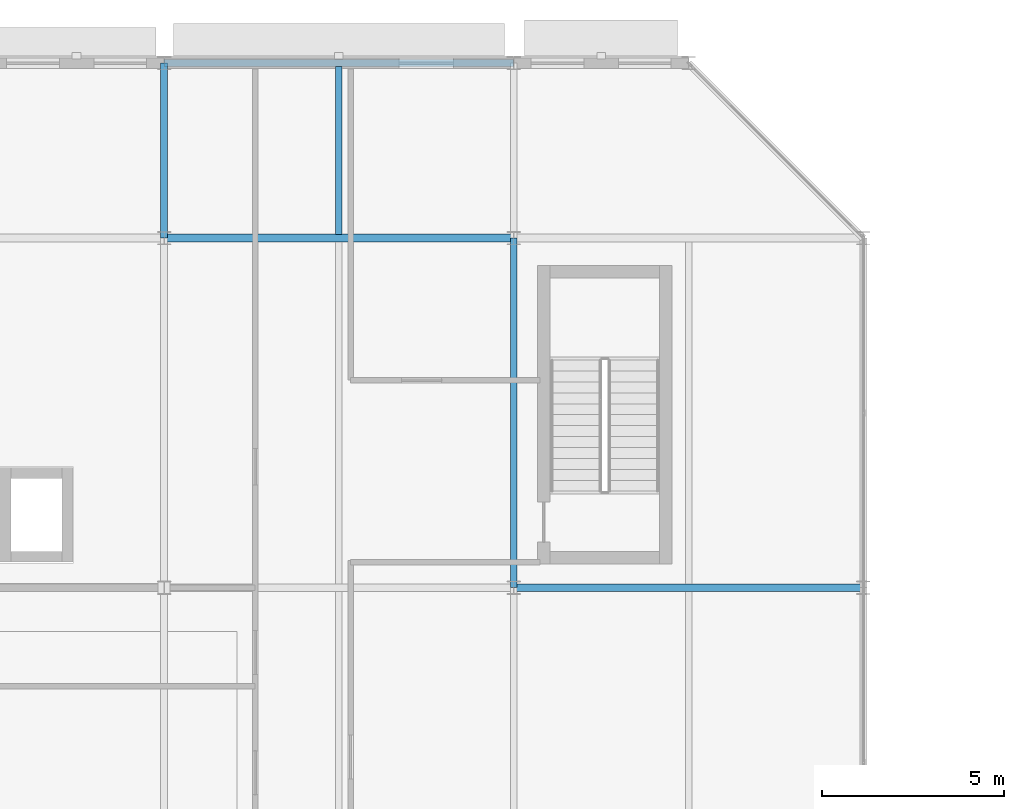
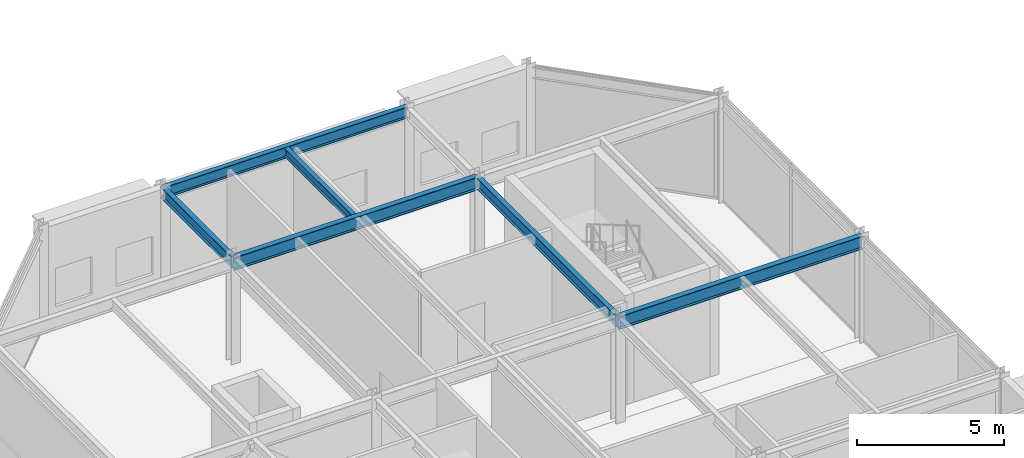
# One storey, part 44 of 116: 6 beams.
"""IFC4 building model written with IfcOpenShell, lengths in metres."""

from ifc_helpers import new_model, si_unit, direction, frame, origin, origin_2d, place, context, subcontext, project, spatial, i_section, extrude, material, material_profile, profile_set, type_object, element, save


model = new_model("IFC4")

# Units and contexts
model_context = context("Model", 3, precision=1e-05, world=origin(), true_north=direction((0.0, 1.0)))
body_context = subcontext(model_context, "Body", "Model", "MODEL_VIEW")
ifc_project = project(units=[si_unit("LENGTHUNIT", "METRE"), si_unit("AREAUNIT", "SQUARE_METRE"), si_unit("VOLUMEUNIT", "CUBIC_METRE"), si_unit("PLANEANGLEUNIT", "RADIAN"), si_unit("MASSUNIT", "GRAM", prefix="KILO")], contexts=[model_context])

# Site, building, storey
site_placement = place(None, origin())
site = spatial("IfcSite", under=ifc_project, at=site_placement, CompositionType="ELEMENT")
building_placement = place(site_placement, origin())
building = spatial("IfcBuilding", under=site, at=building_placement, Name="Almandine Court Research Institute", CompositionType="ELEMENT")
storey_placement = place(building_placement, frame((0.0, 0.0, 14.35009765625)))
storey = spatial("IfcBuildingStorey", under=building, at=storey_placement, Name="L03", CompositionType="ELEMENT", Elevation=14.35009765625)

# Beams
ifc_material = material(Name="Steel ASTM A992 Grade 50", Category="steel")
ifc_material_profile_1 = material_profile(ifc_material, i_section(OverallWidth=0.18994140625, OverallDepth=0.45703125, WebThickness=0.009033203125, FlangeThickness=0.014892578125, at=origin_2d()), Name="W460x74")
ifc_profile_set_1 = profile_set([ifc_material_profile_1], Name="Steel ASTM A992 Grade 50")
beam_type_1 = type_object("IfcBeamType", Name="Beam-B-01", PredefinedType="BEAM", material=ifc_profile_set_1)
beam_1_placement = place(storey_placement, frame((25.199951171875, 103.199951171875, 4.140869140625), z_axis=(0.0, 1.0, 0.0), x_axis=(-1.0, 0.0, 0.0)))
element("IfcBeam", 1, at=beam_1_placement, inside=storey, type_object=beam_type_1, Name="L03 V3 Primary Y Girder", PredefinedType="BEAM", context=body_context, shape_type="SweptSolid", body=[
    extrude(i_section(OverallWidth=0.18994140625, OverallDepth=0.45703125, WebThickness=0.009033203125, FlangeThickness=0.014892578125, at=origin_2d()), origin(), (0.0, 0.0, 1.0), 9.60009765625),
])
beam_2_placement = place(storey_placement, frame((15.60009765625, 112.800048828125, 4.140869140625), z_axis=(0.0, 1.0, 0.0), x_axis=(-1.0, 0.0, 0.0)))
element("IfcBeam", 2, at=beam_2_placement, inside=storey, type_object=beam_type_1, Name="L03 V3 Primary Y Girder", PredefinedType="BEAM", context=body_context, shape_type="SweptSolid", body=[
    extrude(i_section(OverallWidth=0.18994140625, OverallDepth=0.45703125, WebThickness=0.009033203125, FlangeThickness=0.014892578125, at=origin_2d()), origin(), (0.0, 0.0, 1.0), 4.800048828125),
])
ifc_material_profile_2 = material_profile(ifc_material, i_section(OverallWidth=0.172119140625, OverallDepth=0.35791015625, WebThickness=0.008056640625, FlangeThickness=0.012939453125, at=origin_2d()), Name="W360x57")
ifc_profile_set_2 = profile_set([ifc_material_profile_2], Name="Steel ASTM A992 Grade 50")
beam_type_2 = type_object("IfcBeamType", Name="Beam-B-03", PredefinedType="JOIST", material=ifc_profile_set_2)
beam_3_placement = place(storey_placement, frame((20.39990234375, 112.903076171875, 4.19091796875), z_axis=(0.0, 1.0, 0.0), x_axis=(-1.0, 0.0, 0.0)))
element("IfcBeam", 3, at=beam_3_placement, inside=storey, type_object=beam_type_2, Name="L03 V3 Composite Secondary Beam", PredefinedType="JOIST", context=body_context, shape_type="SweptSolid", body=[
    extrude(i_section(OverallWidth=0.172119140625, OverallDepth=0.35791015625, WebThickness=0.008056640625, FlangeThickness=0.012939453125, at=origin_2d()), origin(), (0.0, 0.0, 1.0), 4.601806640625),
])
ifc_material_profile_3 = material_profile(ifc_material, i_section(OverallWidth=0.2109375, OverallDepth=0.5390625, WebThickness=0.011962890625, FlangeThickness=0.01904296875, at=origin_2d()), Name="W530x109")
ifc_profile_set_3 = profile_set([ifc_material_profile_3], Name="Steel ASTM A992 Grade 50")
beam_type_3 = type_object("IfcBeamType", Name="Beam-G-04", PredefinedType="BEAM", material=ifc_profile_set_3)
beam_4_placement = place(storey_placement, frame((25.199951171875, 103.199951171875, 4.099853515625), z_axis=(1.0, 0.0, 0.0), x_axis=(0.0, 1.0, 0.0)))
element("IfcBeam", 4, at=beam_4_placement, inside=storey, type_object=beam_type_3, Name="L03 V3 Primary X Girder", PredefinedType="BEAM", context=body_context, shape_type="SweptSolid", body=[
    extrude(i_section(OverallWidth=0.2109375, OverallDepth=0.5390625, WebThickness=0.011962890625, FlangeThickness=0.01904296875, at=origin_2d()), origin(), (0.0, 0.0, 1.0), 9.60009765625),
])
beam_5_placement = place(storey_placement, frame((15.60009765625, 112.800048828125, 4.099853515625), z_axis=(1.0, 0.0, 0.0), x_axis=(0.0, 1.0, 0.0)))
element("IfcBeam", 5, at=beam_5_placement, inside=storey, type_object=beam_type_3, Name="L03 V3 Primary X Girder", PredefinedType="BEAM", context=body_context, shape_type="SweptSolid", body=[
    extrude(i_section(OverallWidth=0.2109375, OverallDepth=0.5390625, WebThickness=0.011962890625, FlangeThickness=0.01904296875, at=origin_2d()), origin(), (0.0, 0.0, 1.0), 9.599853515625),
])
ifc_material_profile_4 = material_profile(ifc_material, i_section(OverallWidth=0.193115234375, OverallDepth=0.466064453125, WebThickness=0.010986328125, FlangeThickness=0.01904296875, at=origin_2d()), Name="W460x97")
ifc_profile_set_4 = profile_set([ifc_material_profile_4], Name="Steel ASTM A992 Grade 50")
beam_type_4 = type_object("IfcBeamType", Name="Beam-G-06-E", PredefinedType="SPANDREL", material=ifc_profile_set_4)
beam_6_placement = place(storey_placement, frame((15.60009765625, 117.60009765625, 4.136962890625), z_axis=(1.0, 0.0, 0.0), x_axis=(0.0, 1.0, 0.0)))
element("IfcBeam", 6, at=beam_6_placement, inside=storey, type_object=beam_type_4, Name="L03 V3 Primary X Girder", PredefinedType="SPANDREL", context=body_context, shape_type="SweptSolid", body=[
    extrude(i_section(OverallWidth=0.193115234375, OverallDepth=0.466064453125, WebThickness=0.010986328125, FlangeThickness=0.01904296875, at=origin_2d()), origin(), (0.0, 0.0, 1.0), 9.599853515625),
])

save(model, "model.ifc")
